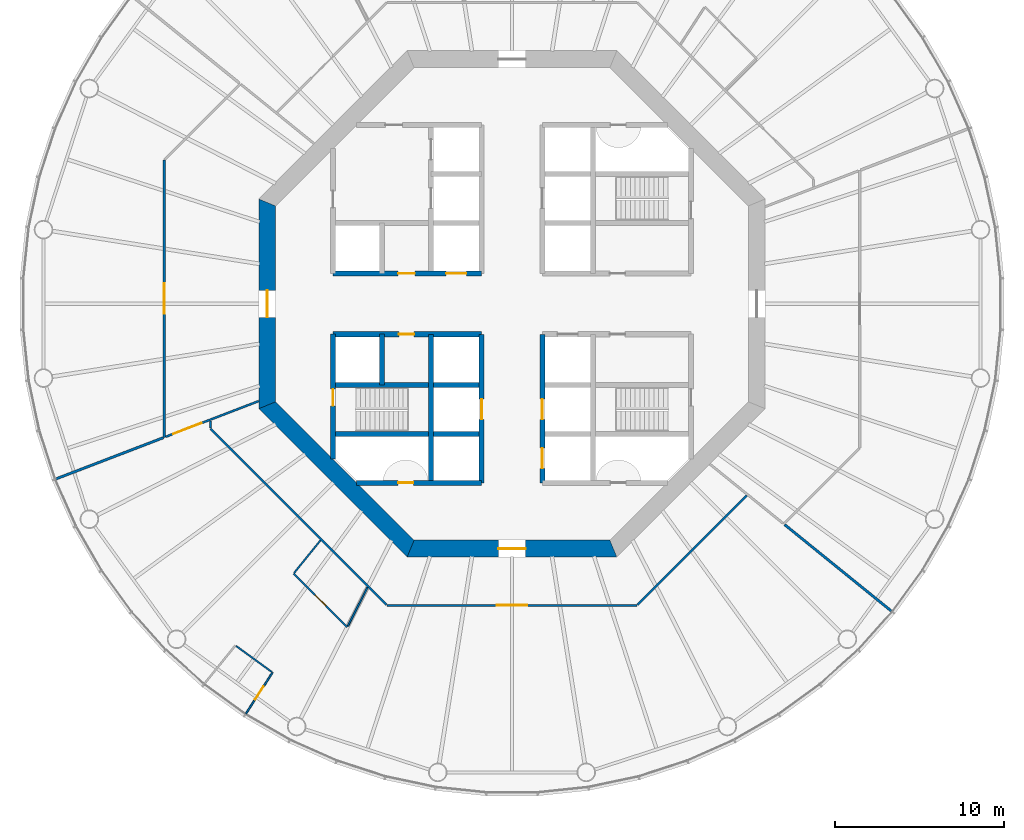
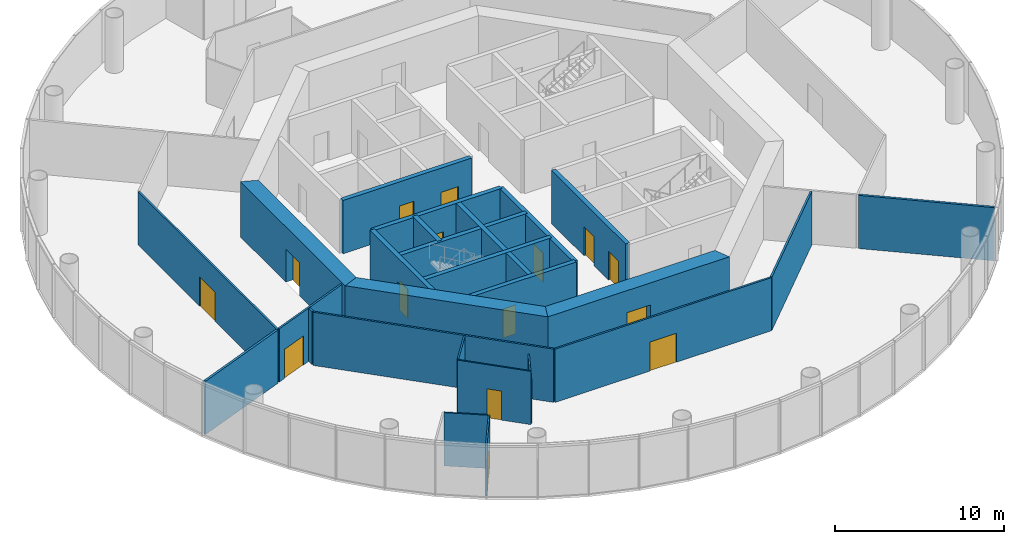
# One storey, part 3 of 12: 26 walls, 15 doors, 15 openings.
"""IFC4 building model written with IfcOpenShell, lengths in metres."""

from ifc_helpers import new_model, si_unit, direction, frame, frame_2d, origin, place, context, subcontext, project, spatial, polyline, rectangle, outline, extrude, material, layer, layer_set, type_object, element, fill, save


model = new_model("IFC4")

# Units and contexts
model_context = context("Model", 3, precision=1e-05, world=origin(), true_north=direction((0.0, 1.0)))
body_context = subcontext(model_context, "Body", "Model", "MODEL_VIEW")
ifc_project = project(units=[si_unit("LENGTHUNIT", "METRE"), si_unit("AREAUNIT", "SQUARE_METRE"), si_unit("VOLUMEUNIT", "CUBIC_METRE"), si_unit("PLANEANGLEUNIT", "RADIAN"), si_unit("MASSUNIT", "GRAM", prefix="KILO")], contexts=[model_context])

# Site, building, storey
site_placement = place(None, origin())
site = spatial("IfcSite", under=ifc_project, at=site_placement, CompositionType="ELEMENT")
building_placement = place(site_placement, origin())
building = spatial("IfcBuilding", under=site, at=building_placement, Name="Entoto Ring Tower", CompositionType="ELEMENT")
storey_placement = place(building_placement, frame((0.0, 0.0, 152.0)))
storey = spatial("IfcBuildingStorey", under=building, at=storey_placement, Name="L34", CompositionType="ELEMENT", Elevation=152.0)

# Wall, openings, doors
ifc_material_1 = material(Name="Concrete C40/50", Category="concrete")
ifc_layer_1 = layer(ifc_material_1, 0.300048828125)
ifc_layer_set_1 = layer_set([ifc_layer_1], Name="Concrete C40/50")
wall_type_1 = type_object("IfcWallType", Name="Core enclosure wall 300 mm reinforced concrete", PredefinedType="SOLIDWALL", material=ifc_layer_set_1)
wall_1_placement = place(storey_placement, frame((91.800048828125, 69.39990234375, 0.0), z_axis=(0.0, 0.0, 1.0), x_axis=(0.0, 1.0, 0.0)))
wall_1 = element("IfcWall", 1, at=wall_1_placement, inside=storey, type_object=wall_type_1, Name="wall-L34-005", PredefinedType="SOLIDWALL", context=body_context, shape_type="SweptSolid", body=[
    extrude(rectangle(XDim=8.800048828125, YDim=0.300048828125, at=frame_2d((4.39990234375, 0.0))), origin(), (0.0, 0.0, 1.0), 3.85009765625),
])
opening_1_placement = place(wall_1_placement, frame((3.75, 0.0, 0.0)))
opening_1 = element("IfcOpeningElement", 2, at=opening_1_placement, cuts=wall_1, Name="Opening LD", PredefinedType="OPENING", context=body_context, shape_type="SweptSolid", body=[
    extrude(rectangle(XDim=1.199951171875, YDim=2.10009765625, at=frame_2d((0.60009765625, 1.050048828125))), frame((0.0, 0.16015625, 0.0), z_axis=(0.0, -1.0, 0.0), x_axis=(1.0, 0.0, 0.0)), (0.0, 0.0, 1.0), 0.320068359375),
])
opening_2_placement = place(wall_1_placement, frame((0.85009765625, 0.0, 0.0)))
opening_2 = element("IfcOpeningElement", 3, at=opening_2_placement, cuts=wall_1, Name="Opening LD", PredefinedType="OPENING", context=body_context, shape_type="SweptSolid", body=[
    extrude(rectangle(XDim=1.199951171875, YDim=2.10009765625, at=frame_2d((0.60009765625, 1.050048828125))), frame((0.0, 0.16015625, 0.0), z_axis=(0.0, -1.0, 0.0), x_axis=(1.0, 0.0, 0.0)), (0.0, 0.0, 1.0), 0.320068359375),
])
ifc_material_2 = material(Name="Steel and glass door leaf", Category="steel")
ifc_layer_2 = layer(ifc_material_2, 0.050048828125)
ifc_layer_set_2 = layer_set([ifc_layer_2], Name="Steel and glass door leaf")
door_type_1 = type_object("IfcDoorType", Name="Landing door 1200 x 2100 sliding", OperationType="DOUBLE_DOOR_SLIDING", PredefinedType="DOOR", material=ifc_layer_set_2)
door_1_placement = place(opening_1_placement, origin())
door_1 = element("IfcDoor", 4, at=door_1_placement, inside=storey, type_object=door_type_1, Name="Landing door LB2-MR", OperationType="SLIDING_TO_RIGHT", OverallHeight=2.10009765625, OverallWidth=1.199951171875, PredefinedType="DOOR", context=body_context, shape_type="SweptSolid", body=[
    extrude(rectangle(XDim=1.199951171875, YDim=2.10009765625, at=frame_2d((0.60009765625, 1.050048828125))), frame((0.0, 0.02490234375, 0.0), z_axis=(0.0, -1.0, 0.0), x_axis=(1.0, 0.0, 0.0)), (0.0, 0.0, 1.0), 0.050048828125),
])
fill(opening_1, door_1)
door_2_placement = place(opening_2_placement, origin())
door_2 = element("IfcDoor", 5, at=door_2_placement, inside=storey, type_object=door_type_1, Name="Landing door LB3-MR", OperationType="SLIDING_TO_RIGHT", OverallHeight=2.10009765625, OverallWidth=1.199951171875, PredefinedType="DOOR", context=body_context, shape_type="SweptSolid", body=[
    extrude(rectangle(XDim=1.199951171875, YDim=2.10009765625, at=frame_2d((0.60009765625, 1.050048828125))), frame((0.0, 0.02490234375, 0.0), z_axis=(0.0, -1.0, 0.0), x_axis=(1.0, 0.0, 0.0)), (0.0, 0.0, 1.0), 0.050048828125),
])
fill(opening_2, door_2)

# Wall, opening, door
wall_2_placement = place(storey_placement, frame((88.199951171875, 69.39990234375, 0.0), z_axis=(0.0, 0.0, 1.0), x_axis=(0.0, 1.0, 0.0)))
wall_2 = element("IfcWall", 6, at=wall_2_placement, inside=storey, type_object=wall_type_1, Name="wall-L34-007", PredefinedType="SOLIDWALL", context=body_context, shape_type="SweptSolid", body=[
    extrude(rectangle(XDim=8.800048828125, YDim=0.300048828125, at=frame_2d((4.39990234375, 0.0))), origin(), (0.0, 0.0, 1.0), 3.85009765625),
])
opening_3_placement = place(wall_2_placement, frame((3.75, 0.0, 0.0)))
opening_3 = element("IfcOpeningElement", 7, at=opening_3_placement, cuts=wall_2, Name="Opening LD", PredefinedType="OPENING", context=body_context, shape_type="SweptSolid", body=[
    extrude(rectangle(XDim=1.199951171875, YDim=2.10009765625, at=frame_2d((0.60009765625, 1.050048828125))), frame((0.0, 0.16015625, 0.0), z_axis=(0.0, -1.0, 0.0), x_axis=(1.0, 0.0, 0.0)), (0.0, 0.0, 1.0), 0.320068359375),
])
door_3_placement = place(opening_3_placement, origin())
door_3 = element("IfcDoor", 8, at=door_3_placement, inside=storey, type_object=door_type_1, Name="Landing door LB4-MR", OperationType="SLIDING_TO_RIGHT", OverallHeight=2.10009765625, OverallWidth=1.199951171875, PredefinedType="DOOR", context=body_context, shape_type="SweptSolid", body=[
    extrude(rectangle(XDim=1.199951171875, YDim=2.10009765625, at=frame_2d((0.60009765625, 1.050048828125))), frame((0.0, 0.02490234375, 0.0), z_axis=(0.0, -1.0, 0.0), x_axis=(1.0, 0.0, 0.0)), (0.0, 0.0, 1.0), 0.050048828125),
])
fill(opening_3, door_3)

# Walls
wall_3_placement = place(storey_placement, frame((85.199951171875, 69.39990234375, 0.0), z_axis=(0.0, 0.0, 1.0), x_axis=(0.0, 1.0, 0.0)))
element("IfcWall", 9, at=wall_3_placement, inside=storey, type_object=wall_type_1, Name="wall-L34-009", PredefinedType="SOLIDWALL", context=body_context, shape_type="SweptSolid", body=[
    extrude(rectangle(XDim=8.800048828125, YDim=0.300048828125, at=frame_2d((4.39990234375, 0.0))), origin(), (0.0, 0.0, 1.0), 3.85009765625),
])
wall_4_placement = place(storey_placement, frame((82.300048828125, 75.199951171875, 0.0), z_axis=(0.0, 0.0, 1.0), x_axis=(0.0, 1.0, 0.0)))
element("IfcWall", 10, at=wall_4_placement, inside=storey, type_object=wall_type_1, Name="wall-L34-011", PredefinedType="SOLIDWALL", context=body_context, shape_type="SweptSolid", body=[
    extrude(rectangle(XDim=3.0, YDim=0.300048828125, at=frame_2d((1.5, 0.0))), origin(), (0.0, 0.0, 1.0), 3.85009765625),
])

# Wall, opening, door
wall_5_placement = place(storey_placement, frame((79.39990234375, 70.801025390625, 0.0), z_axis=(0.0, 0.0, 1.0), x_axis=(0.0, 1.0, 0.0)))
wall_5 = element("IfcWall", 11, at=wall_5_placement, inside=storey, type_object=wall_type_1, Name="wall-L34-013", PredefinedType="SOLIDWALL", context=body_context, shape_type="SweptSolid", body=[
    extrude(rectangle(XDim=7.39892578125, YDim=0.300048828125, at=frame_2d((3.699462890625, 0.0))), origin(), (0.0, 0.0, 1.0), 3.85009765625),
])
opening_4_placement = place(wall_5_placement, frame((3.14892578125, 0.0, 0.0)))
opening_4 = element("IfcOpeningElement", 12, at=opening_4_placement, cuts=wall_5, Name="Opening K-55", PredefinedType="OPENING", context=body_context, shape_type="SweptSolid", body=[
    extrude(rectangle(XDim=1.0, YDim=2.10009765625, at=frame_2d((0.5, 1.050048828125))), frame((0.0, 0.16015625, 0.0), z_axis=(0.0, -1.0, 0.0), x_axis=(1.0, 0.0, 0.0)), (0.0, 0.0, 1.0), 0.320068359375),
])
ifc_material_3 = material(Name="Steel door leaf, fire rated", Category="steel")
ifc_layer_3 = layer(ifc_material_3, 0.050048828125)
ifc_layer_set_3 = layer_set([ifc_layer_3], Name="Steel door leaf, fire rated")
door_type_2 = type_object("IfcDoorType", Name="Fire door FD60 1000 x 2100 single leaf", OperationType="NOTDEFINED", PredefinedType="DOOR", material=ifc_layer_set_3)
door_4_placement = place(opening_4_placement, frame((1.0, 0.0, 0.0), z_axis=(0.0, 0.0, 1.0), x_axis=(-1.0, 0.0, 0.0)))
door_4 = element("IfcDoor", 13, at=door_4_placement, inside=storey, type_object=door_type_2, Name="Door K-55", OperationType="SINGLE_SWING_LEFT", OverallHeight=2.10009765625, OverallWidth=1.0, PredefinedType="DOOR", context=body_context, shape_type="SweptSolid", body=[
    extrude(rectangle(XDim=1.0, YDim=2.10009765625, at=frame_2d((0.5, 1.050048828125))), frame((0.0, 0.02490234375, 0.0), z_axis=(0.0, -1.0, 0.0), x_axis=(1.0, 0.0, 0.0)), (0.0, 0.0, 1.0), 0.050048828125),
])
fill(opening_4, door_4)

wall_6_placement = place(storey_placement, frame((80.801025390625, 69.39990234375, 0.0), z_axis=(0.0, 0.0, 1.0), x_axis=(1.0, 0.0, 0.0)))
wall_6 = element("IfcWall", 14, at=wall_6_placement, inside=storey, type_object=wall_type_1, Name="wall-L34-015", PredefinedType="SOLIDWALL", context=body_context, shape_type="SweptSolid", body=[
    extrude(rectangle(XDim=7.39892578125, YDim=0.300048828125, at=frame_2d((3.699462890625, 0.0))), origin(), (0.0, 0.0, 1.0), 3.85009765625),
])
opening_5_placement = place(wall_6_placement, frame((2.448974609375, 0.0, 0.0)))
opening_5 = element("IfcOpeningElement", 15, at=opening_5_placement, cuts=wall_6, Name="Opening K-62", PredefinedType="OPENING", context=body_context, shape_type="SweptSolid", body=[
    extrude(rectangle(XDim=0.89990234375, YDim=2.10009765625, at=frame_2d((0.449951171875, 1.050048828125))), frame((0.0, 0.16015625, 0.0), z_axis=(0.0, -1.0, 0.0), x_axis=(1.0, 0.0, 0.0)), (0.0, 0.0, 1.0), 0.320068359375),
])
ifc_material_4 = material(Name="Steel door leaf, fire rated", Category="steel")
ifc_layer_4 = layer(ifc_material_4, 0.050048828125)
ifc_layer_set_4 = layer_set([ifc_layer_4], Name="Steel door leaf, fire rated")
door_type_3 = type_object("IfcDoorType", Name="Riser door FD60 900 x 2100 single leaf", OperationType="NOTDEFINED", PredefinedType="DOOR", material=ifc_layer_set_4)
door_5_placement = place(opening_5_placement, origin())
door_5 = element("IfcDoor", 16, at=door_5_placement, inside=storey, type_object=door_type_3, Name="Door K-62", OperationType="SINGLE_SWING_RIGHT", OverallHeight=2.10009765625, OverallWidth=0.89990234375, PredefinedType="DOOR", context=body_context, shape_type="SweptSolid", body=[
    extrude(rectangle(XDim=0.89990234375, YDim=2.10009765625, at=frame_2d((0.449951171875, 1.050048828125))), frame((0.0, 0.02490234375, 0.0), z_axis=(0.0, -1.0, 0.0), x_axis=(1.0, 0.0, 0.0)), (0.0, 0.0, 1.0), 0.050048828125),
])
fill(opening_5, door_5)

# Walls
for number, where, z_axis, x_axis, name in (
    (17, (79.39990234375, 72.300048828125, 0.0), (0.0, 0.0, 1.0), (1.0, 0.0, 0.0), "wall-L34-017"),
    (18, (79.39990234375, 75.199951171875, 0.0), (0.0, 0.0, 1.0), (1.0, 0.0, 0.0), "wall-L34-019"),
):
    element("IfcWall", number, at=place(storey_placement, frame(where, z_axis=z_axis, x_axis=x_axis)), inside=storey, type_object=wall_type_1, Name=name, PredefinedType="SOLIDWALL", context=body_context, shape_type="SweptSolid", body=[
        extrude(rectangle(XDim=8.800048828125, YDim=0.300048828125, at=frame_2d((4.39990234375, 0.0))), origin(), (0.0, 0.0, 1.0), 3.85009765625),
    ])

# Wall, opening, door
wall_7_placement = place(storey_placement, frame((79.39990234375, 78.199951171875, 0.0), z_axis=(0.0, 0.0, 1.0), x_axis=(1.0, 0.0, 0.0)))
wall_7 = element("IfcWall", 19, at=wall_7_placement, inside=storey, type_object=wall_type_1, Name="wall-L34-021", PredefinedType="SOLIDWALL", context=body_context, shape_type="SweptSolid", body=[
    extrude(rectangle(XDim=8.800048828125, YDim=0.300048828125, at=frame_2d((4.39990234375, 0.0))), origin(), (0.0, 0.0, 1.0), 3.85009765625),
])
opening_6_placement = place(wall_7_placement, frame((3.89990234375, 0.0, 0.0)))
opening_6 = element("IfcOpeningElement", 20, at=opening_6_placement, cuts=wall_7, Name="Opening K-14", PredefinedType="OPENING", context=body_context, shape_type="SweptSolid", body=[
    extrude(rectangle(XDim=0.89990234375, YDim=2.10009765625, at=frame_2d((0.449951171875, 1.050048828125))), frame((0.0, 0.16015625, 0.0), z_axis=(0.0, -1.0, 0.0), x_axis=(1.0, 0.0, 0.0)), (0.0, 0.0, 1.0), 0.320068359375),
])
ifc_material_5 = material(Name="Steel door leaf, fire rated", Category="steel")
ifc_layer_5 = layer(ifc_material_5, 0.050048828125)
ifc_layer_set_5 = layer_set([ifc_layer_5], Name="Steel door leaf, fire rated")
door_type_4 = type_object("IfcDoorType", Name="Core door 900 x 2100 single leaf", OperationType="NOTDEFINED", PredefinedType="DOOR", material=ifc_layer_set_5)
door_6_placement = place(opening_6_placement, frame((0.89990234375, 0.0, 0.0), z_axis=(0.0, 0.0, 1.0), x_axis=(-1.0, 0.0, 0.0)))
door_6 = element("IfcDoor", 21, at=door_6_placement, inside=storey, type_object=door_type_4, Name="Door K-14", OperationType="SINGLE_SWING_LEFT", OverallHeight=2.10009765625, OverallWidth=0.89990234375, PredefinedType="DOOR", context=body_context, shape_type="SweptSolid", body=[
    extrude(rectangle(XDim=0.89990234375, YDim=2.10009765625, at=frame_2d((0.449951171875, 1.050048828125))), frame((0.0, 0.02490234375, 0.0), z_axis=(0.0, -1.0, 0.0), x_axis=(1.0, 0.0, 0.0)), (0.0, 0.0, 1.0), 0.050048828125),
])
fill(opening_6, door_6)

# Wall, openings, doors
wall_8_placement = place(storey_placement, frame((79.39990234375, 81.800048828125, 0.0), z_axis=(0.0, 0.0, 1.0), x_axis=(1.0, 0.0, 0.0)))
wall_8 = element("IfcWall", 22, at=wall_8_placement, inside=storey, type_object=wall_type_1, Name="wall-L34-023", PredefinedType="SOLIDWALL", context=body_context, shape_type="SweptSolid", body=[
    extrude(rectangle(XDim=8.800048828125, YDim=0.300048828125, at=frame_2d((4.39990234375, 0.0))), origin(), (0.0, 0.0, 1.0), 3.85009765625),
])
opening_7_placement = place(wall_8_placement, frame((6.699951171875, 0.0, 0.0)))
opening_7 = element("IfcOpeningElement", 23, at=opening_7_placement, cuts=wall_8, Name="Opening LD", PredefinedType="OPENING", context=body_context, shape_type="SweptSolid", body=[
    extrude(rectangle(XDim=1.199951171875, YDim=2.10009765625, at=frame_2d((0.60009765625, 1.050048828125))), frame((0.0, 0.16015625, 0.0), z_axis=(0.0, -1.0, 0.0), x_axis=(1.0, 0.0, 0.0)), (0.0, 0.0, 1.0), 0.320068359375),
])
opening_8_placement = place(wall_8_placement, frame((3.85009765625, 0.0, 0.0)))
opening_8 = element("IfcOpeningElement", 24, at=opening_8_placement, cuts=wall_8, Name="Opening K-13", PredefinedType="OPENING", context=body_context, shape_type="SweptSolid", body=[
    extrude(rectangle(XDim=1.0, YDim=2.10009765625, at=frame_2d((0.5, 1.050048828125))), frame((0.0, 0.16015625, 0.0), z_axis=(0.0, -1.0, 0.0), x_axis=(1.0, 0.0, 0.0)), (0.0, 0.0, 1.0), 0.320068359375),
])
ifc_material_6 = material(Name="Steel door leaf, fire rated", Category="steel")
ifc_layer_6 = layer(ifc_material_6, 0.050048828125)
ifc_layer_set_6 = layer_set([ifc_layer_6], Name="Steel door leaf, fire rated")
door_type_5 = type_object("IfcDoorType", Name="Accessible door 1000 x 2100 single leaf", OperationType="NOTDEFINED", PredefinedType="DOOR", material=ifc_layer_set_6)
door_7_placement = place(opening_8_placement, origin())
door_7 = element("IfcDoor", 25, at=door_7_placement, inside=storey, type_object=door_type_5, Name="Door K-13", OperationType="SINGLE_SWING_LEFT", OverallHeight=2.10009765625, OverallWidth=1.0, PredefinedType="DOOR", context=body_context, shape_type="SweptSolid", body=[
    extrude(rectangle(XDim=1.0, YDim=2.10009765625, at=frame_2d((0.5, 1.050048828125))), frame((0.0, 0.02490234375, 0.0), z_axis=(0.0, -1.0, 0.0), x_axis=(1.0, 0.0, 0.0)), (0.0, 0.0, 1.0), 0.050048828125),
])
fill(opening_8, door_7)
door_8_placement = place(opening_7_placement, origin())
door_8 = element("IfcDoor", 26, at=door_8_placement, inside=storey, type_object=door_type_1, Name="Landing door LB5-MR", OperationType="SLIDING_TO_LEFT", OverallHeight=2.10009765625, OverallWidth=1.199951171875, PredefinedType="DOOR", context=body_context, shape_type="SweptSolid", body=[
    extrude(rectangle(XDim=1.199951171875, YDim=2.10009765625, at=frame_2d((0.60009765625, 1.050048828125))), frame((0.0, 0.02490234375, 0.0), z_axis=(0.0, -1.0, 0.0), x_axis=(1.0, 0.0, 0.0)), (0.0, 0.0, 1.0), 0.050048828125),
])
fill(opening_7, door_8)

# Wall, opening, door
ifc_material_7 = material(Name="Concrete C50/60", Category="concrete")
ifc_layer_7 = layer(ifc_material_7, 1.0)
ifc_layer_set_7 = layer_set([ifc_layer_7], Name="Concrete C50/60")
wall_type_2 = type_object("IfcWallType", Name="Core shear wall 1000 mm reinforced concrete C50/60", PredefinedType="SHEAR", material=ifc_layer_set_7)
wall_9_placement = place(storey_placement, frame((75.5, 86.006103515625, 0.0), z_axis=(0.0, 0.0, 1.0), x_axis=(0.0, -1.0, 0.0)))
wall_9 = element("IfcWall", 27, at=wall_9_placement, inside=storey, type_object=wall_type_2, Name="wall-L34-core-4", PredefinedType="SHEAR", context=body_context, shape_type="SweptSolid", body=[
    extrude(outline(polyline([(-0.20703125, -0.5), (12.21923828125, -0.5), (11.80517578125, 0.5), (0.20703125, 0.5), (-0.20703125, -0.5)])), origin(), (0.0, 0.0, 1.0), 4.0),
])
opening_9_placement = place(wall_9_placement, frame((5.2060546875, 0.0, 0.0)))
opening_9 = element("IfcOpeningElement", 28, at=opening_9_placement, cuts=wall_9, Name="Opening K-03", PredefinedType="OPENING", context=body_context, shape_type="SweptSolid", body=[
    extrude(rectangle(XDim=1.60009765625, YDim=2.39990234375, at=frame_2d((0.800048828125, 1.199951171875))), frame((0.0, 0.510009765625, 0.0), z_axis=(0.0, -1.0, 0.0), x_axis=(1.0, 0.0, 0.0)), (0.0, 0.0, 1.0), 1.02001953125),
])
ifc_material_8 = material(Name="Steel door leaf, fire rated", Category="steel")
ifc_layer_8 = layer(ifc_material_8, 0.050048828125)
ifc_layer_set_8 = layer_set([ifc_layer_8], Name="Steel door leaf, fire rated")
door_type_6 = type_object("IfcDoorType", Name="Entrance door FD60 1600 x 2400 double leaf", OperationType="DOUBLE_DOOR_SINGLE_SWING", PredefinedType="DOOR", material=ifc_layer_set_8)
door_9_placement = place(opening_9_placement, origin())
door_9 = element("IfcDoor", 29, at=door_9_placement, inside=storey, type_object=door_type_6, Name="Entrance door K-03", OperationType="DOUBLE_DOOR_SINGLE_SWING", OverallHeight=2.39990234375, OverallWidth=1.60009765625, PredefinedType="DOOR", context=body_context, shape_type="SweptSolid", body=[
    extrude(rectangle(XDim=1.60009765625, YDim=2.39990234375, at=frame_2d((0.800048828125, 1.199951171875))), frame((0.0, 0.02490234375, 0.0), z_axis=(0.0, -1.0, 0.0), x_axis=(1.0, 0.0, 0.0)), (0.0, 0.0, 1.0), 0.050048828125),
])
fill(opening_9, door_9)

# Wall
wall_10_placement = place(storey_placement, frame((75.5, 73.993896484375, 0.0), z_axis=(0.0, 0.0, 1.0), x_axis=(0.707106781187, -0.707106781187, 0.0)))
element("IfcWall", 30, at=wall_10_placement, inside=storey, type_object=wall_type_2, Name="wall-L34-core-5", PredefinedType="SHEAR", context=body_context, shape_type="SweptSolid", body=[
    extrude(outline(polyline([(-0.20703125, -0.5), (12.21923828125, -0.5), (11.80517578125, 0.5), (0.20703125, 0.5), (-0.20703125, -0.5)])), origin(), (0.0, 0.0, 1.0), 4.0),
])

# Wall, opening, door
wall_11_placement = place(storey_placement, frame((83.993896484375, 65.5, 0.0), z_axis=(0.0, 0.0, 1.0), x_axis=(1.0, 0.0, 0.0)))
wall_11 = element("IfcWall", 31, at=wall_11_placement, inside=storey, type_object=wall_type_2, Name="wall-L34-core-6", PredefinedType="SHEAR", context=body_context, shape_type="SweptSolid", body=[
    extrude(outline(polyline([(-0.20703125, -0.5), (12.21923828125, -0.5), (11.80517578125, 0.5), (0.20703125, 0.5), (-0.20703125, -0.5)])), origin(), (0.0, 0.0, 1.0), 4.0),
])
opening_10_placement = place(wall_11_placement, frame((5.2060546875, 0.0, 0.0)))
opening_10 = element("IfcOpeningElement", 32, at=opening_10_placement, cuts=wall_11, Name="Opening K-04", PredefinedType="OPENING", context=body_context, shape_type="SweptSolid", body=[
    extrude(rectangle(XDim=1.60009765625, YDim=2.39990234375, at=frame_2d((0.800048828125, 1.199951171875))), frame((0.0, 0.510009765625, 0.0), z_axis=(0.0, -1.0, 0.0), x_axis=(1.0, 0.0, 0.0)), (0.0, 0.0, 1.0), 1.02001953125),
])
door_10_placement = place(opening_10_placement, origin())
door_10 = element("IfcDoor", 33, at=door_10_placement, inside=storey, type_object=door_type_6, Name="Entrance door K-04", OperationType="DOUBLE_DOOR_SINGLE_SWING", OverallHeight=2.39990234375, OverallWidth=1.60009765625, PredefinedType="DOOR", context=body_context, shape_type="SweptSolid", body=[
    extrude(rectangle(XDim=1.60009765625, YDim=2.39990234375, at=frame_2d((0.800048828125, 1.199951171875))), frame((0.0, 0.02490234375, 0.0), z_axis=(0.0, -1.0, 0.0), x_axis=(1.0, 0.0, 0.0)), (0.0, 0.0, 1.0), 0.050048828125),
])
fill(opening_10, door_10)

ifc_material_9 = material(Name="Fire-resisting plasterboard on steel studs", Category="steel")
ifc_layer_9 = layer(ifc_material_9, 0.125)
ifc_layer_set_9 = layer_set([ifc_layer_9], Name="Fire-resisting plasterboard on steel studs")
wall_type_3 = type_object("IfcWallType", Name="Corridor wall 125 mm one-hour plasterboard on steel studs", PredefinedType="PARTITIONING", material=ifc_layer_set_9)
wall_12_placement = place(storey_placement, frame((69.39990234375, 72.09228515625, 0.0), z_axis=(0.0, 0.0, 1.0), x_axis=(0.0, 1.0, 0.0)))
wall_12 = element("IfcWall", 34, at=wall_12_placement, inside=storey, type_object=wall_type_3, Name="partition-L34-001", PredefinedType="PARTITIONING", context=body_context, shape_type="SweptSolid", body=[
    extrude(rectangle(XDim=16.4404296875, YDim=0.125, at=frame_2d((8.22021484375, 0.0))), origin(), (0.0, 0.0, 1.0), 3.85009765625),
])
opening_11_placement = place(wall_12_placement, frame((7.3203125, 0.0, 0.0)))
opening_11 = element("IfcOpeningElement", 35, at=opening_11_placement, cuts=wall_12, Name="Opening A15-D02", PredefinedType="OPENING", context=body_context, shape_type="SweptSolid", body=[
    extrude(rectangle(XDim=1.800048828125, YDim=2.10009765625, at=frame_2d((0.89990234375, 1.050048828125))), frame((0.0, 0.072509765625, 0.0), z_axis=(0.0, -1.0, 0.0), x_axis=(1.0, 0.0, 0.0)), (0.0, 0.0, 1.0), 0.14501953125),
])
ifc_material_10 = material(Name="Fire-resisting timber door set", Category="wood")
door_type_7 = type_object("IfcDoorType", Name="Door 1800 x 2100 double leaf FD30S fire door", OperationType="DOUBLE_DOOR_SINGLE_SWING", PredefinedType="DOOR", material=ifc_material_10)
door_11_placement = place(opening_11_placement, origin())
door_11 = element("IfcDoor", 36, at=door_11_placement, inside=storey, type_object=door_type_7, Name="Door A15-D02", OperationType="DOUBLE_DOOR_SINGLE_SWING", OverallHeight=2.10009765625, OverallWidth=1.800048828125, PredefinedType="DOOR", context=body_context, shape_type="SweptSolid", body=[
    extrude(rectangle(XDim=1.800048828125, YDim=2.10009765625, at=frame_2d((0.89990234375, 1.050048828125))), frame((0.0, 0.02490234375, 0.0), z_axis=(0.0, -1.0, 0.0), x_axis=(1.0, 0.0, 0.0)), (0.0, 0.0, 1.0), 0.050048828125),
])
fill(opening_11, door_11)

wall_13_placement = place(storey_placement, frame((82.60107421875, 62.137451171875, 0.0), z_axis=(0.0, 0.0, 1.0), x_axis=(1.0, 0.0, 0.0)))
wall_13 = element("IfcWall", 37, at=wall_13_placement, inside=storey, type_object=wall_type_3, Name="partition-L34-003", PredefinedType="PARTITIONING", context=body_context, shape_type="SweptSolid", body=[
    extrude(rectangle(XDim=14.7978515625, YDim=0.125, at=frame_2d((7.39892578125, 0.0))), origin(), (0.0, 0.0, 1.0), 3.85009765625),
])
opening_12_placement = place(wall_13_placement, frame((6.498779296875, 0.0, 0.0)))
opening_12 = element("IfcOpeningElement", 38, at=opening_12_placement, cuts=wall_13, Name="Opening A15-D09", PredefinedType="OPENING", context=body_context, shape_type="SweptSolid", body=[
    extrude(rectangle(XDim=1.800048828125, YDim=2.10009765625, at=frame_2d((0.89990234375, 1.050048828125))), frame((0.0, 0.072509765625, 0.0), z_axis=(0.0, -1.0, 0.0), x_axis=(1.0, 0.0, 0.0)), (0.0, 0.0, 1.0), 0.14501953125),
])
door_12_placement = place(opening_12_placement, origin())
door_12 = element("IfcDoor", 39, at=door_12_placement, inside=storey, type_object=door_type_7, Name="Door A15-D09", OperationType="DOUBLE_DOOR_SINGLE_SWING", OverallHeight=2.10009765625, OverallWidth=1.800048828125, PredefinedType="DOOR", context=body_context, shape_type="SweptSolid", body=[
    extrude(rectangle(XDim=1.800048828125, YDim=2.10009765625, at=frame_2d((0.89990234375, 1.050048828125))), frame((0.0, 0.02490234375, 0.0), z_axis=(0.0, -1.0, 0.0), x_axis=(1.0, 0.0, 0.0)), (0.0, 0.0, 1.0), 0.050048828125),
])
fill(opening_12, door_12)

# Walls
wall_14_placement = place(storey_placement, frame((82.570068359375, 62.168701171875, 0.0), z_axis=(0.0, 0.0, 1.0), x_axis=(-0.707115054973, 0.707098507303, 0.0)))
element("IfcWall", 40, at=wall_14_placement, inside=storey, type_object=wall_type_3, Name="partition-L34-005", PredefinedType="PARTITIONING", context=body_context, shape_type="SweptSolid", body=[
    extrude(rectangle(XDim=14.753662109375, YDim=0.125, at=frame_2d((7.376953125, 0.0))), origin(), (0.0, 0.0, 1.0), 3.85009765625),
])
wall_15_placement = place(storey_placement, frame((97.429931640625, 62.168701171875, 0.0), z_axis=(0.0, 0.0, 1.0), x_axis=(0.707120103343, 0.707093458779, 0.0)))
element("IfcWall", 41, at=wall_15_placement, inside=storey, type_object=wall_type_3, Name="partition-L34-008", PredefinedType="PARTITIONING", context=body_context, shape_type="SweptSolid", body=[
    extrude(rectangle(XDim=9.162841796875, YDim=0.125, at=frame_2d((4.58154296875, 0.0))), origin(), (0.0, 0.0, 1.0), 3.85009765625),
])

# Wall, opening, door
wall_16_placement = place(storey_placement, frame((69.484619140625, 72.125, 0.0), z_axis=(0.0, 0.0, 1.0), x_axis=(0.933592488158, 0.358336526264, 0.0)))
wall_16 = element("IfcWall", 42, at=wall_16_placement, inside=storey, type_object=wall_type_3, Name="partition-L34-011", PredefinedType="PARTITIONING", context=body_context, shape_type="SweptSolid", body=[
    extrude(rectangle(XDim=5.90771484375, YDim=0.125, at=frame_2d((2.953857421875, 0.0))), origin(), (0.0, 0.0, 1.0), 3.85009765625),
])
opening_13_placement = place(wall_16_placement, frame((0.475341796875, 0.0, 0.0)))
opening_13 = element("IfcOpeningElement", 43, at=opening_13_placement, cuts=wall_16, Name="Opening A15-D10", PredefinedType="OPENING", context=body_context, shape_type="SweptSolid", body=[
    extrude(rectangle(XDim=1.800048828125, YDim=2.10009765625, at=frame_2d((0.89990234375, 1.050048828125))), frame((0.0, 0.072509765625, 0.0), z_axis=(0.0, -1.0, 0.0), x_axis=(1.0, 0.0, 0.0)), (0.0, 0.0, 1.0), 0.14501953125),
])
door_13_placement = place(opening_13_placement, origin())
door_13 = element("IfcDoor", 44, at=door_13_placement, inside=storey, type_object=door_type_7, Name="Door A15-D10", OperationType="DOUBLE_DOOR_SINGLE_SWING", OverallHeight=2.10009765625, OverallWidth=1.800048828125, PredefinedType="DOOR", context=body_context, shape_type="SweptSolid", body=[
    extrude(rectangle(XDim=1.800048828125, YDim=2.10009765625, at=frame_2d((0.89990234375, 1.050048828125))), frame((0.0, 0.02490234375, 0.0), z_axis=(0.0, -1.0, 0.0), x_axis=(1.0, 0.0, 0.0)), (0.0, 0.0, 1.0), 0.050048828125),
])
fill(opening_13, door_13)

# Wall
wall_17_placement = place(storey_placement, frame((72.137451171875, 72.64501953125, 0.0), z_axis=(0.0, 0.0, 1.0), x_axis=(0.0, 1.0, 0.0)))
element("IfcWall", 45, at=wall_17_placement, inside=storey, type_object=wall_type_3, Name="partition-L34-015", PredefinedType="PARTITIONING", context=body_context, shape_type="SweptSolid", body=[
    extrude(rectangle(XDim=0.407470703125, YDim=0.125, at=frame_2d((0.20361328125, 0.0))), origin(), (0.0, 0.0, 1.0), 3.85009765625),
])

# Wall, opening, door
ifc_material_11 = material(Name="Plasterboard on steel studs", Category="steel")
ifc_layer_10 = layer(ifc_material_11, 0.10009765625)
ifc_layer_set_10 = layer_set([ifc_layer_10], Name="Plasterboard on steel studs")
wall_type_4 = type_object("IfcWallType", Name="Partition 100 mm plasterboard on steel studs", PredefinedType="PARTITIONING", material=ifc_layer_set_10)
wall_18_placement = place(storey_placement, frame((80.24169921875, 60.84814453125, 0.0), z_axis=(0.0, 0.0, 1.0), x_axis=(-0.707106781187, 0.707106781187, 0.0)))
wall_18 = element("IfcWall", 46, at=wall_18_placement, inside=storey, type_object=wall_type_4, Name="partition-L34-024", PredefinedType="PARTITIONING", context=body_context, shape_type="SweptSolid", body=[
    extrude(rectangle(XDim=4.49365234375, YDim=0.10009765625, at=frame_2d((2.246826171875, 0.0))), origin(), (0.0, 0.0, 1.0), 3.85009765625),
])
opening_14_placement = place(wall_18_placement, frame((1.796875, 0.0, 0.0)))
opening_14 = element("IfcOpeningElement", 47, at=opening_14_placement, cuts=wall_18, Name="Opening A15-D11", PredefinedType="OPENING", context=body_context, shape_type="SweptSolid", body=[
    extrude(rectangle(XDim=0.89990234375, YDim=2.10009765625, at=frame_2d((0.449951171875, 1.050048828125))), frame((0.0, 0.06005859375, 0.0), z_axis=(0.0, -1.0, 0.0), x_axis=(1.0, 0.0, 0.0)), (0.0, 0.0, 1.0), 0.1201171875),
])
ifc_material_12 = material(Name="Veneered timber door leaf in timber frame", Category="wood")
door_type_8 = type_object("IfcDoorType", Name="Door 900 x 2100 single leaf timber veneer", OperationType="NOTDEFINED", PredefinedType="DOOR", material=ifc_material_12)
door_14_placement = place(opening_14_placement, frame((0.89990234375, 0.0, 0.0), z_axis=(0.0, 0.0, 1.0), x_axis=(-1.0, 0.0, 0.0)))
door_14 = element("IfcDoor", 48, at=door_14_placement, inside=storey, type_object=door_type_8, Name="Door A15-D11", OperationType="SINGLE_SWING_RIGHT", OverallHeight=2.10009765625, OverallWidth=0.89990234375, PredefinedType="DOOR", context=body_context, shape_type="SweptSolid", body=[
    extrude(rectangle(XDim=0.89990234375, YDim=2.10009765625, at=frame_2d((0.449951171875, 1.050048828125))), frame((0.0, 0.02490234375, 0.0), z_axis=(0.0, -1.0, 0.0), x_axis=(1.0, 0.0, 0.0)), (0.0, 0.0, 1.0), 0.050048828125),
])
fill(opening_14, door_14)

wall_19_placement = place(storey_placement, frame((74.238037109375, 55.72900390625, 0.0), z_axis=(0.0, 0.0, 1.0), x_axis=(0.544713111227, 0.83862245764, 0.0)))
wall_19 = element("IfcWall", 49, at=wall_19_placement, inside=storey, type_object=wall_type_4, Name="partition-L34-030", PredefinedType="PARTITIONING", context=body_context, shape_type="SweptSolid", body=[
    extrude(rectangle(XDim=2.89990234375, YDim=0.10009765625, at=frame_2d((1.449951171875, 0.0))), origin(), (0.0, 0.0, 1.0), 3.85009765625),
])
opening_15_placement = place(wall_19_placement, frame((1.0, 0.0, 0.0)))
opening_15 = element("IfcOpeningElement", 50, at=opening_15_placement, cuts=wall_19, Name="Opening A15-D12", PredefinedType="OPENING", context=body_context, shape_type="SweptSolid", body=[
    extrude(rectangle(XDim=0.89990234375, YDim=2.10009765625, at=frame_2d((0.449951171875, 1.050048828125))), frame((0.0, 0.06005859375, 0.0), z_axis=(0.0, -1.0, 0.0), x_axis=(1.0, 0.0, 0.0)), (0.0, 0.0, 1.0), 0.1201171875),
])
door_15_placement = place(opening_15_placement, origin())
door_15 = element("IfcDoor", 51, at=door_15_placement, inside=storey, type_object=door_type_8, Name="Door A15-D12", OperationType="SINGLE_SWING_LEFT", OverallHeight=2.10009765625, OverallWidth=0.89990234375, PredefinedType="DOOR", context=body_context, shape_type="SweptSolid", body=[
    extrude(rectangle(XDim=0.89990234375, YDim=2.10009765625, at=frame_2d((0.449951171875, 1.050048828125))), frame((0.0, 0.02490234375, 0.0), z_axis=(0.0, -1.0, 0.0), x_axis=(1.0, 0.0, 0.0)), (0.0, 0.0, 1.0), 0.050048828125),
])
fill(opening_15, door_15)

# Walls
wall_20_placement = place(storey_placement, frame((75.777099609375, 58.1904296875, 0.0), z_axis=(0.0, 0.0, 1.0), x_axis=(-0.809001366161, 0.587806762082, 0.0)))
element("IfcWall", 52, at=wall_20_placement, inside=storey, type_object=wall_type_4, Name="partition-L34-033", PredefinedType="PARTITIONING", context=body_context, shape_type="SweptSolid", body=[
    extrude(rectangle(XDim=2.625732421875, YDim=0.10009765625, at=frame_2d((1.31298828125, 0.0))), origin(), (0.0, 0.0, 1.0), 3.85009765625),
])
wall_21_placement = place(storey_placement, frame((77.095458984375, 64.064208984375, 0.0), z_axis=(0.0, 0.0, 1.0), x_axis=(0.629300308727, 0.777162223372, 0.0)))
element("IfcWall", 53, at=wall_21_placement, inside=storey, type_object=wall_type_4, Name="partition-L34-039", PredefinedType="PARTITIONING", context=body_context, shape_type="SweptSolid", body=[
    extrude(rectangle(XDim=2.476806640625, YDim=0.10009765625, at=frame_2d((1.23828125, 0.0))), origin(), (0.0, 0.0, 1.0), 3.85009765625),
])
ifc_material_13 = material(Name="Plasterboard on steel studs", Category="steel")
ifc_layer_11 = layer(ifc_material_13, 0.10009765625)
ifc_layer_set_11 = layer_set([ifc_layer_11], Name="Plasterboard on steel studs")
wall_type_5 = type_object("IfcWallType", Name="Partition 100 mm plasterboard on steel studs, 3250 mm high", PredefinedType="PARTITIONING", material=ifc_layer_set_11)
wall_22_placement = place(storey_placement, frame((80.27294921875, 60.909423828125, 0.0), z_axis=(0.0, 0.0, 1.0), x_axis=(0.45394719258, 0.891028588963, 0.0)))
element("IfcWall", 54, at=wall_22_placement, inside=storey, type_object=wall_type_5, Name="partition-L34-035", PredefinedType="PARTITIONING", context=body_context, shape_type="SweptSolid", body=[
    extrude(rectangle(XDim=2.562255859375, YDim=0.10009765625, at=frame_2d((1.28125, 0.0))), origin(), (0.0, 0.0, 1.0), 3.25),
])
ifc_material_14 = material(Name="Fire-resisting acoustic plasterboard on steel studs", Category="steel")
ifc_layer_12 = layer(ifc_material_14, 0.14990234375)
ifc_layer_set_12 = layer_set([ifc_layer_12], Name="Fire-resisting acoustic plasterboard on steel studs")
wall_type_6 = type_object("IfcWallType", Name="Party wall 150 mm one-hour acoustic plasterboard on steel studs", PredefinedType="PARTITIONING", material=ifc_layer_set_12)
wall_23_placement = place(storey_placement, frame((112.490478515625, 61.78759765625, 0.0), z_axis=(0.0, 0.0, 1.0), x_axis=(-0.777143081467, 0.629323947524, 0.0)))
element("IfcWall", 55, at=wall_23_placement, inside=storey, type_object=wall_type_6, Name="partition-L34-019", PredefinedType="PARTITIONING", context=body_context, shape_type="SweptSolid", body=[
    extrude(rectangle(XDim=8.15576171875, YDim=0.14990234375, at=frame_2d((4.077880859375, 0.0))), origin(), (0.0, 0.0, 1.0), 3.85009765625),
])
wall_24_placement = place(storey_placement, frame((62.982177734375, 69.62890625, 0.0), z_axis=(0.0, 0.0, 1.0), x_axis=(0.933585412346, 0.358354960695, 0.0)))
element("IfcWall", 56, at=wall_24_placement, inside=storey, type_object=wall_type_6, Name="partition-L34-020", PredefinedType="PARTITIONING", context=body_context, shape_type="SweptSolid", body=[
    extrude(rectangle(XDim=6.816162109375, YDim=0.14990234375, at=frame_2d((3.408203125, 0.0))), origin(), (0.0, 0.0, 1.0), 3.85009765625),
])

save(model, "model.ifc")
